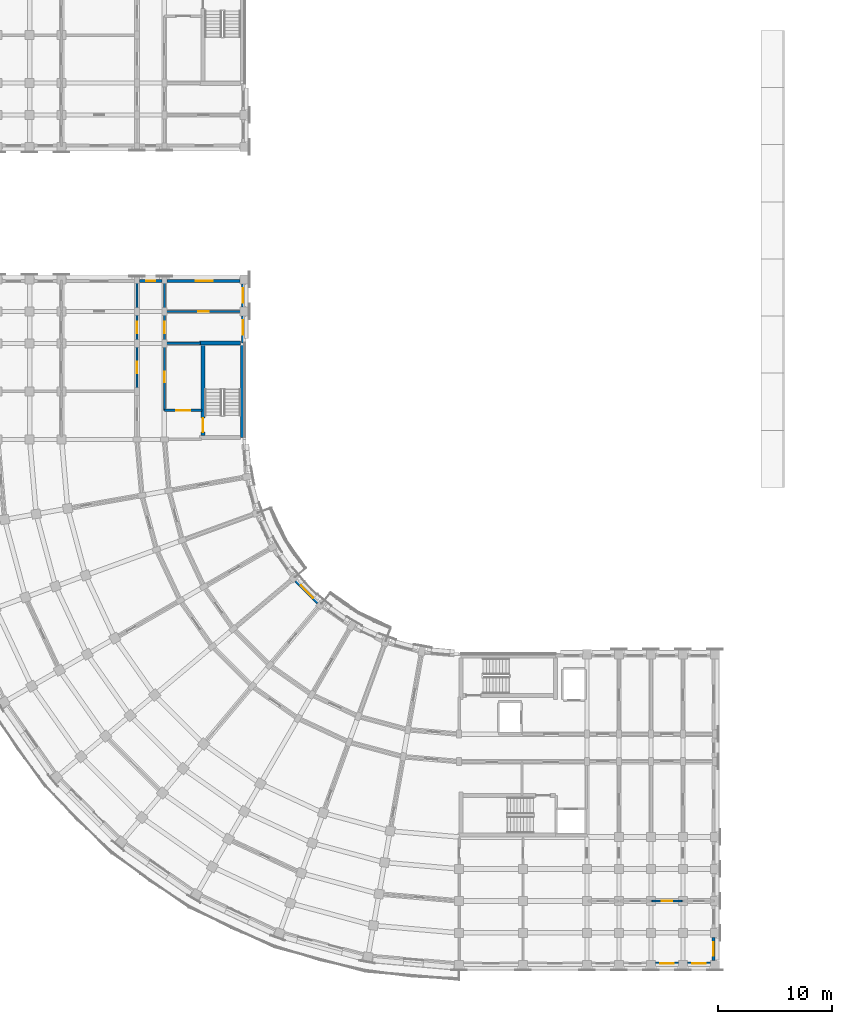
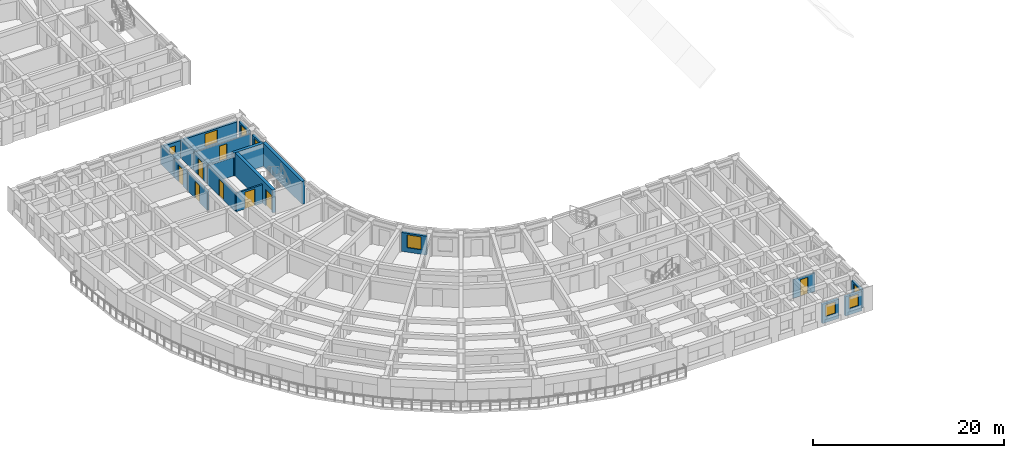
# One storey, part 20 of 54: 21 walls, 8 doors, 8 windows, 16 openings.
"""IFC4 building model written with IfcOpenShell, lengths in metres."""

from ifc_helpers import new_model, si_unit, direction, frame, frame_2d, origin, place, context, subcontext, project, spatial, rectangle, extrude, material, layer, layer_set, type_object, element, fill, save


model = new_model("IFC4")

# Units and contexts
model_context = context("Model", 3, precision=1e-05, world=origin(), true_north=direction((0.0, 1.0)))
body_context = subcontext(model_context, "Body", "Model", "MODEL_VIEW")
ifc_project = project(units=[si_unit("LENGTHUNIT", "METRE"), si_unit("AREAUNIT", "SQUARE_METRE"), si_unit("VOLUMEUNIT", "CUBIC_METRE"), si_unit("PLANEANGLEUNIT", "RADIAN"), si_unit("MASSUNIT", "GRAM", prefix="KILO")], contexts=[model_context])

# Site, building, storey
site_placement = place(None, origin())
site = spatial("IfcSite", under=ifc_project, at=site_placement, CompositionType="ELEMENT")
building_placement = place(site_placement, origin())
building = spatial("IfcBuilding", under=site, at=building_placement, Name="Kiranvali Square Residences", CompositionType="ELEMENT")
storey_placement = place(building_placement, frame((0.0, 0.0, 11.85009765625)))
storey = spatial("IfcBuildingStorey", under=building, at=storey_placement, Name="L03", CompositionType="ELEMENT", Elevation=11.85009765625)

# Wall, opening, door
ifc_material_1 = material(Name="Autoclaved aerated concrete blockwork masonry", Category="masonry")
ifc_layer_1 = layer(ifc_material_1, 0.199951171875)
ifc_layer_set_1 = layer_set([ifc_layer_1], Name="Autoclaved aerated concrete blockwork masonry")
wall_type_1 = type_object("IfcWallType", Name="WL-COR-200", PredefinedType="STANDARD", material=ifc_layer_set_1)
wall_1_placement = place(storey_placement, frame((25.699951171875, 50.75, 0.0), z_axis=(0.0, 0.0, 1.0), x_axis=(-1.0, 0.0, 0.0)))
wall_1 = element("IfcWall", 1, at=wall_1_placement, inside=storey, type_object=wall_type_1, Name="L03 architectural wall WL-L03-C-S3-V", PredefinedType="STANDARD", context=body_context, shape_type="SweptSolid", body=[
    extrude(rectangle(XDim=3.300048828125, YDim=0.199951171875, at=frame_2d((1.64990234375, 0.0))), origin(), (0.0, 0.0, 1.0), 2.371826171875),
])
opening_1_placement = place(wall_1_placement, frame((1.0400390625, 0.0, 0.0)))
opening_1 = element("IfcOpeningElement", 2, at=opening_1_placement, cuts=wall_1, Name="Opening FD-COR-60", PredefinedType="OPENING", context=body_context, shape_type="SweptSolid", body=[
    extrude(rectangle(XDim=1.219970703125, YDim=2.14990234375, at=frame_2d((0.60986328125, 1.074951171875))), frame((0.0, 0.10986328125, 0.0), z_axis=(0.0, -1.0, 0.0), x_axis=(1.0, 0.0, 0.0)), (0.0, 0.0, 1.0), 0.219970703125),
])
ifc_material_2 = material(Name="Fire-rated acoustic hardwood and mineral-core door assembly", Category="wood")
door_type_1 = type_object("IfcDoorType", Name="DR-FD60-1200", OperationType="NOTDEFINED", PredefinedType="DOOR", material=ifc_material_2)
door_1_placement = place(opening_1_placement, frame((1.219970703125, 0.0, 0.0), z_axis=(0.0, 0.0, 1.0), x_axis=(-1.0, 0.0, 0.0)))
door_1 = element("IfcDoor", 3, at=door_1_placement, inside=storey, type_object=door_type_1, Name="L03 door DR-L03-1914 (DR-FD60-1200)", OperationType="SINGLE_SWING_RIGHT", OverallHeight=2.14990234375, OverallWidth=1.219970703125, PredefinedType="DOOR", context=body_context, shape_type="SweptSolid", body=[
    extrude(rectangle(XDim=1.219970703125, YDim=2.14990234375, at=frame_2d((0.60986328125, 1.074951171875))), frame((0.0, 0.02490234375, 0.0), z_axis=(0.0, -1.0, 0.0), x_axis=(1.0, 0.0, 0.0)), (0.0, 0.0, 1.0), 0.050048828125),
])
fill(opening_1, door_1)

wall_2_placement = place(storey_placement, frame((22.39990234375, 50.75, 0.0), z_axis=(0.0, 0.0, 1.0), x_axis=(0.0, 1.0, 0.0)))
wall_2 = element("IfcWall", 4, at=wall_2_placement, inside=storey, type_object=wall_type_1, Name="L03 architectural wall WL-L03-C-S3-COR", PredefinedType="STANDARD", context=body_context, shape_type="SweptSolid", body=[
    extrude(rectangle(XDim=5.800048828125, YDim=0.199951171875, at=frame_2d((2.89990234375, 0.0))), origin(), (0.0, 0.0, 1.0), 2.371826171875),
])
opening_2_placement = place(wall_2_placement, frame((2.43994140625, 0.0, 0.0)))
opening_2 = element("IfcOpeningElement", 5, at=opening_2_placement, cuts=wall_2, Name="Opening FD-SVC-120", PredefinedType="OPENING", context=body_context, shape_type="SweptSolid", body=[
    extrude(rectangle(XDim=0.919921875, YDim=2.10009765625, at=frame_2d((0.4599609375, 1.050048828125))), frame((0.0, 0.10986328125, 0.0), z_axis=(0.0, -1.0, 0.0), x_axis=(1.0, 0.0, 0.0)), (0.0, 0.0, 1.0), 0.219970703125),
])
door_type_2 = type_object("IfcDoorType", Name="DR-SVC-900", OperationType="NOTDEFINED", PredefinedType="DOOR", material=ifc_material_2)
door_2_placement = place(opening_2_placement, origin())
door_2 = element("IfcDoor", 6, at=door_2_placement, inside=storey, type_object=door_type_2, Name="L03 door DR-L03-1915 (DR-SVC-900)", OperationType="SINGLE_SWING_LEFT", OverallHeight=2.10009765625, OverallWidth=0.919921875, PredefinedType="DOOR", context=body_context, shape_type="SweptSolid", body=[
    extrude(rectangle(XDim=0.919921875, YDim=2.10009765625, at=frame_2d((0.4599609375, 1.050048828125))), frame((0.0, 0.02490234375, 0.0), z_axis=(0.0, -1.0, 0.0), x_axis=(1.0, 0.0, 0.0)), (0.0, 0.0, 1.0), 0.050048828125),
])
fill(opening_2, door_2)

wall_3_placement = place(storey_placement, frame((20.0, 52.39990234375, 0.0), z_axis=(0.0, 0.0, 1.0), x_axis=(0.0, 1.0, 0.0)))
wall_3 = element("IfcWall", 7, at=wall_3_placement, inside=storey, type_object=wall_type_1, Name="L03 architectural wall WL-L03-C-A2CF-C1", PredefinedType="STANDARD", context=body_context, shape_type="SweptSolid", body=[
    extrude(rectangle(XDim=4.2001953125, YDim=0.199951171875, at=frame_2d((2.10009765625, 0.0))), origin(), (0.0, 0.0, 1.0), 2.371826171875),
])
opening_3_placement = place(wall_3_placement, frame((1.60009765625, 0.0, 0.0)))
opening_3 = element("IfcOpeningElement", 8, at=opening_3_placement, cuts=wall_3, Name="Opening FD-APT-60", PredefinedType="OPENING", context=body_context, shape_type="SweptSolid", body=[
    extrude(rectangle(XDim=1.0, YDim=2.14990234375, at=frame_2d((0.5, 1.074951171875))), frame((0.0, 0.10986328125, 0.0), z_axis=(0.0, -1.0, 0.0), x_axis=(1.0, 0.0, 0.0)), (0.0, 0.0, 1.0), 0.219970703125),
])
door_type_3 = type_object("IfcDoorType", Name="DR-APT-1000", OperationType="NOTDEFINED", PredefinedType="DOOR", material=ifc_material_2)
door_3_placement = place(opening_3_placement, frame((1.0, 0.0, 0.0), z_axis=(0.0, 0.0, 1.0), x_axis=(-1.0, 0.0, 0.0)))
door_3 = element("IfcDoor", 9, at=door_3_placement, inside=storey, type_object=door_type_3, Name="L03 door DR-L03-1958 (DR-APT-1000)", OperationType="SINGLE_SWING_RIGHT", OverallHeight=2.14990234375, OverallWidth=1.0, PredefinedType="DOOR", context=body_context, shape_type="SweptSolid", body=[
    extrude(rectangle(XDim=1.0, YDim=2.14990234375, at=frame_2d((0.5, 1.074951171875))), frame((0.0, 0.02490234375, 0.0), z_axis=(0.0, -1.0, 0.0), x_axis=(1.0, 0.0, 0.0)), (0.0, 0.0, 1.0), 0.050048828125),
])
fill(opening_3, door_3)

wall_4_placement = place(storey_placement, frame((22.39990234375, 56.60009765625, 0.0), z_axis=(0.0, 0.0, 1.0), x_axis=(0.0, 1.0, 0.0)))
wall_4 = element("IfcWall", 10, at=wall_4_placement, inside=storey, type_object=wall_type_1, Name="L03 architectural wall WL-L03-C-A2CI-0", PredefinedType="STANDARD", context=body_context, shape_type="SweptSolid", body=[
    extrude(rectangle(XDim=2.7998046875, YDim=0.199951171875, at=frame_2d((1.39990234375, 0.0))), origin(), (0.0, 0.0, 1.0), 2.371826171875),
])
opening_4_placement = place(wall_4_placement, frame((0.89990234375, 0.0, 0.0)))
opening_4 = element("IfcOpeningElement", 11, at=opening_4_placement, cuts=wall_4, Name="Opening FD-APT-60", PredefinedType="OPENING", context=body_context, shape_type="SweptSolid", body=[
    extrude(rectangle(XDim=1.0, YDim=2.14990234375, at=frame_2d((0.5, 1.074951171875))), frame((0.0, 0.10986328125, 0.0), z_axis=(0.0, -1.0, 0.0), x_axis=(1.0, 0.0, 0.0)), (0.0, 0.0, 1.0), 0.219970703125),
])
door_4_placement = place(opening_4_placement, frame((1.0, 0.0, 0.0), z_axis=(0.0, 0.0, 1.0), x_axis=(-1.0, 0.0, 0.0)))
door_4 = element("IfcDoor", 12, at=door_4_placement, inside=storey, type_object=door_type_3, Name="L03 door DR-L03-1960 (DR-APT-1000)", OperationType="SINGLE_SWING_RIGHT", OverallHeight=2.14990234375, OverallWidth=1.0, PredefinedType="DOOR", context=body_context, shape_type="SweptSolid", body=[
    extrude(rectangle(XDim=1.0, YDim=2.14990234375, at=frame_2d((0.5, 1.074951171875))), frame((0.0, 0.02490234375, 0.0), z_axis=(0.0, -1.0, 0.0), x_axis=(1.0, 0.0, 0.0)), (0.0, 0.0, 1.0), 0.050048828125),
])
fill(opening_4, door_4)

wall_5_placement = place(storey_placement, frame((20.0, 56.60009765625, 0.0), z_axis=(0.0, 0.0, 1.0), x_axis=(0.0, 1.0, 0.0)))
wall_5 = element("IfcWall", 13, at=wall_5_placement, inside=storey, type_object=wall_type_1, Name="L03 architectural wall WL-L03-C-A2CO-0", PredefinedType="STANDARD", context=body_context, shape_type="SweptSolid", body=[
    extrude(rectangle(XDim=2.7998046875, YDim=0.199951171875, at=frame_2d((1.39990234375, 0.0))), origin(), (0.0, 0.0, 1.0), 2.371826171875),
])
opening_5_placement = place(wall_5_placement, frame((0.89990234375, 0.0, 0.0)))
opening_5 = element("IfcOpeningElement", 14, at=opening_5_placement, cuts=wall_5, Name="Opening FD-APT-60", PredefinedType="OPENING", context=body_context, shape_type="SweptSolid", body=[
    extrude(rectangle(XDim=1.0, YDim=2.14990234375, at=frame_2d((0.5, 1.074951171875))), frame((0.0, 0.10986328125, 0.0), z_axis=(0.0, -1.0, 0.0), x_axis=(1.0, 0.0, 0.0)), (0.0, 0.0, 1.0), 0.219970703125),
])
door_5_placement = place(opening_5_placement, frame((1.0, 0.0, 0.0), z_axis=(0.0, 0.0, 1.0), x_axis=(-1.0, 0.0, 0.0)))
door_5 = element("IfcDoor", 15, at=door_5_placement, inside=storey, type_object=door_type_3, Name="L03 door DR-L03-1962 (DR-APT-1000)", OperationType="SINGLE_SWING_RIGHT", OverallHeight=2.14990234375, OverallWidth=1.0, PredefinedType="DOOR", context=body_context, shape_type="SweptSolid", body=[
    extrude(rectangle(XDim=1.0, YDim=2.14990234375, at=frame_2d((0.5, 1.074951171875))), frame((0.0, 0.02490234375, 0.0), z_axis=(0.0, -1.0, 0.0), x_axis=(1.0, 0.0, 0.0)), (0.0, 0.0, 1.0), 0.050048828125),
])
fill(opening_5, door_5)

# Walls
for number, where, z_axis, x_axis, name in (
    (16, (22.39990234375, 59.39990234375, 0.0), (0.0, 0.0, 1.0), (0.0, 1.0, 0.0), "L03 architectural wall WL-L03-C-A2CI-1"),
    (17, (20.0, 59.39990234375, 0.0), (0.0, 0.0, 1.0), (0.0, 1.0, 0.0), "L03 architectural wall WL-L03-C-A2CO-1"),
):
    element("IfcWall", number, at=place(storey_placement, frame(where, z_axis=z_axis, x_axis=x_axis)), inside=storey, type_object=wall_type_1, Name=name, PredefinedType="STANDARD", context=body_context, shape_type="SweptSolid", body=[
        extrude(rectangle(XDim=2.800048828125, YDim=0.199951171875, at=frame_2d((1.39990234375, 0.0))), origin(), (0.0, 0.0, 1.0), 2.371826171875),
    ])
ifc_layer_2 = layer(ifc_material_1, 0.219970703125)
ifc_layer_set_2 = layer_set([ifc_layer_2], Name="Autoclaved aerated concrete blockwork masonry")
wall_type_2 = type_object("IfcWallType", Name="WL-DEM-220", PredefinedType="STANDARD", material=ifc_layer_set_2)
wall_6_placement = place(storey_placement, frame((25.550048828125, 56.60009765625, 0.0), z_axis=(0.0, 0.0, 1.0), x_axis=(-1.0, 0.0, 0.0)))
element("IfcWall", 18, at=wall_6_placement, inside=storey, type_object=wall_type_2, Name="L03 architectural wall WL-L03-C-A2TI-0", PredefinedType="STANDARD", context=body_context, shape_type="SweptSolid", body=[
    extrude(rectangle(XDim=3.10009765625, YDim=0.219970703125, at=frame_2d((1.550048828125, 0.0))), origin(), (0.0, 0.0, 1.0), 2.371826171875),
])

# Wall, opening, window
ifc_material_3 = material(Name="Breathable lime-rendered clay brick masonry", Category="masonry")
ifc_layer_3 = layer(ifc_material_3, 0.27490234375)
ifc_layer_set_3 = layer_set([ifc_layer_3], Name="Breathable lime-rendered clay brick masonry")
wall_type_3 = type_object("IfcWallType", Name="WL-EXT-275", PredefinedType="STANDARD", material=ifc_layer_set_3)
wall_7_placement = place(storey_placement, frame((35.829345703125, 33.90771484375, 0.0), z_axis=(0.0, 0.0, 1.0), x_axis=(-0.707106781187, 0.707106781187, 0.0)))
wall_7 = element("IfcWall", 19, at=wall_7_placement, inside=storey, type_object=wall_type_3, Name="L03 exterior wall C-L03-GDN-04", PredefinedType="STANDARD", context=body_context, shape_type="SweptSolid", body=[
    extrude(rectangle(XDim=2.717529296875, YDim=0.27490234375, at=frame_2d((1.35888671875, 0.0))), origin(), (0.0, 0.0, 1.0), 2.421875),
])
opening_6_placement = place(wall_7_placement, frame((0.608642578125, 0.0, 0.572021484375)))
opening_6 = element("IfcOpeningElement", 20, at=opening_6_placement, cuts=wall_7, Name="Opening W-05", PredefinedType="OPENING", context=body_context, shape_type="SweptSolid", body=[
    extrude(rectangle(XDim=1.5, YDim=1.64990234375, at=frame_2d((0.75, 0.824951171875))), frame((0.0, 0.1474609375, 0.0), z_axis=(0.0, -1.0, 0.0), x_axis=(1.0, 0.0, 0.0)), (0.0, 0.0, 1.0), 0.294921875),
])
ifc_material_4 = material(Name="Solar-control low-e double glazing", Category="glass")
window_type_1 = type_object("IfcWindowType", Name="WIN-RES-1500x1650", PartitioningType="DOUBLE_PANEL_VERTICAL", PredefinedType="WINDOW", material=ifc_material_4)
window_1_placement = place(opening_6_placement, origin())
window_1 = element("IfcWindow", 21, at=window_1_placement, inside=storey, type_object=window_type_1, Name="L03 recessed window C-L03-GDN-04", OverallHeight=1.64990234375, OverallWidth=1.5, PartitioningType="DOUBLE_PANEL_VERTICAL", PredefinedType="WINDOW", context=body_context, shape_type="SweptSolid", body=[
    extrude(rectangle(XDim=1.5, YDim=1.64990234375, at=frame_2d((0.75, 0.824951171875))), frame((0.0, 0.030029296875, 0.0), z_axis=(0.0, -1.0, 0.0), x_axis=(1.0, 0.0, 0.0)), (0.0, 0.0, 1.0), 0.06005859375),
])
fill(opening_6, window_1)

wall_8_placement = place(storey_placement, frame((65.403564453125, 2.324951171875, 0.0), z_axis=(0.0, 0.0, 1.0), x_axis=(1.0, 0.0, 0.0)))
wall_8 = element("IfcWall", 22, at=wall_8_placement, inside=storey, type_object=wall_type_3, Name="L03 exterior wall C-L03-A1O-4", PredefinedType="STANDARD", context=body_context, shape_type="SweptSolid", body=[
    extrude(rectangle(XDim=1.992919921875, YDim=0.27490234375, at=frame_2d((0.99658203125, 0.0))), origin(), (0.0, 0.0, 1.0), 2.471923828125),
])
opening_7_placement = place(wall_8_placement, frame((0.396484375, 0.0, 0.77197265625)))
opening_7 = element("IfcOpeningElement", 23, at=opening_7_placement, cuts=wall_8, Name="Opening W-06", PredefinedType="OPENING", context=body_context, shape_type="SweptSolid", body=[
    extrude(rectangle(XDim=1.199951171875, YDim=1.5, at=frame_2d((0.60009765625, 0.75))), frame((0.0, 0.1474609375, 0.0), z_axis=(0.0, -1.0, 0.0), x_axis=(1.0, 0.0, 0.0)), (0.0, 0.0, 1.0), 0.294921875),
])
window_type_2 = type_object("IfcWindowType", Name="WIN-RES-1200x1500", PartitioningType="SINGLE_PANEL", PredefinedType="WINDOW", material=ifc_material_4)
window_2_placement = place(opening_7_placement, origin())
window_2 = element("IfcWindow", 24, at=window_2_placement, inside=storey, type_object=window_type_2, Name="L03 recessed window C-L03-A1O-4", OverallHeight=1.5, OverallWidth=1.199951171875, PartitioningType="SINGLE_PANEL", PredefinedType="WINDOW", context=body_context, shape_type="SweptSolid", body=[
    extrude(rectangle(XDim=1.199951171875, YDim=1.5, at=frame_2d((0.60009765625, 0.75))), frame((0.0, 0.030029296875, 0.0), z_axis=(0.0, -1.0, 0.0), x_axis=(1.0, 0.0, 0.0)), (0.0, 0.0, 1.0), 0.06005859375),
])
fill(opening_7, window_2)

wall_9_placement = place(storey_placement, frame((68.20361328125, 2.324951171875, 0.0), z_axis=(0.0, 0.0, 1.0), x_axis=(1.0, 0.0, 0.0)))
wall_9 = element("IfcWall", 25, at=wall_9_placement, inside=storey, type_object=wall_type_3, Name="L03 exterior wall C-L03-A1O-5", PredefinedType="STANDARD", context=body_context, shape_type="SweptSolid", body=[
    extrude(rectangle(XDim=1.992919921875, YDim=0.27490234375, at=frame_2d((0.99658203125, 0.0))), origin(), (0.0, 0.0, 1.0), 2.471923828125),
])
opening_8_placement = place(wall_9_placement, frame((0.396484375, 0.0, 0.77197265625)))
opening_8 = element("IfcOpeningElement", 26, at=opening_8_placement, cuts=wall_9, Name="Opening W-06", PredefinedType="OPENING", context=body_context, shape_type="SweptSolid", body=[
    extrude(rectangle(XDim=1.199951171875, YDim=1.5, at=frame_2d((0.60009765625, 0.75))), frame((0.0, 0.1474609375, 0.0), z_axis=(0.0, -1.0, 0.0), x_axis=(1.0, 0.0, 0.0)), (0.0, 0.0, 1.0), 0.294921875),
])
window_3_placement = place(opening_8_placement, origin())
window_3 = element("IfcWindow", 27, at=window_3_placement, inside=storey, type_object=window_type_2, Name="L03 recessed window C-L03-A1O-5", OverallHeight=1.5, OverallWidth=1.199951171875, PartitioningType="SINGLE_PANEL", PredefinedType="WINDOW", context=body_context, shape_type="SweptSolid", body=[
    extrude(rectangle(XDim=1.199951171875, YDim=1.5, at=frame_2d((0.60009765625, 0.75))), frame((0.0, 0.030029296875, 0.0), z_axis=(0.0, -1.0, 0.0), x_axis=(1.0, 0.0, 0.0)), (0.0, 0.0, 1.0), 0.06005859375),
])
fill(opening_8, window_3)

wall_10_placement = place(storey_placement, frame((70.47509765625, 4.596435546875, 0.0), z_axis=(0.0, 0.0, 1.0), x_axis=(0.0, -1.0, 0.0)))
wall_10 = element("IfcWall", 28, at=wall_10_placement, inside=storey, type_object=wall_type_3, Name="L03 exterior wall C-L03-A1END-6", PredefinedType="STANDARD", context=body_context, shape_type="SweptSolid", body=[
    extrude(rectangle(XDim=1.992919921875, YDim=0.27490234375, at=frame_2d((0.99658203125, 0.0))), origin(), (0.0, 0.0, 1.0), 2.371826171875),
])
opening_9_placement = place(wall_10_placement, frame((0.396484375, 0.0, 0.672119140625)))
opening_9 = element("IfcOpeningElement", 29, at=opening_9_placement, cuts=wall_10, Name="Opening W-06", PredefinedType="OPENING", context=body_context, shape_type="SweptSolid", body=[
    extrude(rectangle(XDim=1.199951171875, YDim=1.5, at=frame_2d((0.60009765625, 0.75))), frame((0.0, 0.1474609375, 0.0), z_axis=(0.0, -1.0, 0.0), x_axis=(1.0, 0.0, 0.0)), (0.0, 0.0, 1.0), 0.294921875),
])
window_4_placement = place(opening_9_placement, origin())
window_4 = element("IfcWindow", 30, at=window_4_placement, inside=storey, type_object=window_type_2, Name="L03 recessed window C-L03-A1END-6", OverallHeight=1.5, OverallWidth=1.199951171875, PartitioningType="SINGLE_PANEL", PredefinedType="WINDOW", context=body_context, shape_type="SweptSolid", body=[
    extrude(rectangle(XDim=1.199951171875, YDim=1.5, at=frame_2d((0.60009765625, 0.75))), frame((0.0, 0.030029296875, 0.0), z_axis=(0.0, -1.0, 0.0), x_axis=(1.0, 0.0, 0.0)), (0.0, 0.0, 1.0), 0.06005859375),
])
fill(opening_9, window_4)

wall_11_placement = place(storey_placement, frame((29.27490234375, 56.62841796875, 0.0), z_axis=(0.0, 0.0, 1.0), x_axis=(0.0, 1.0, 0.0)))
wall_11 = element("IfcWall", 31, at=wall_11_placement, inside=storey, type_object=wall_type_3, Name="L03 exterior wall C-L03-A2I-0", PredefinedType="STANDARD", context=body_context, shape_type="SweptSolid", body=[
    extrude(rectangle(XDim=2.3681640625, YDim=0.27490234375, at=frame_2d((1.18408203125, 0.0))), origin(), (0.0, 0.0, 1.0), 2.471923828125),
])
opening_10_placement = place(wall_11_placement, frame((0.74658203125, 0.0, 0.721923828125)))
opening_10 = element("IfcOpeningElement", 32, at=opening_10_placement, cuts=wall_11, Name="Opening W-19", PredefinedType="OPENING", context=body_context, shape_type="SweptSolid", body=[
    extrude(rectangle(XDim=1.25, YDim=1.550048828125, at=frame_2d((0.625, 0.77490234375))), frame((0.0, 0.1474609375, 0.0), z_axis=(0.0, -1.0, 0.0), x_axis=(1.0, 0.0, 0.0)), (0.0, 0.0, 1.0), 0.294921875),
])
window_type_3 = type_object("IfcWindowType", Name="WIN-GDN-1250x1550", PartitioningType="SINGLE_PANEL", PredefinedType="WINDOW", material=ifc_material_4)
window_5_placement = place(opening_10_placement, origin())
window_5 = element("IfcWindow", 33, at=window_5_placement, inside=storey, type_object=window_type_3, Name="L03 recessed window C-L03-A2I-0", OverallHeight=1.550048828125, OverallWidth=1.25, PartitioningType="SINGLE_PANEL", PredefinedType="WINDOW", context=body_context, shape_type="SweptSolid", body=[
    extrude(rectangle(XDim=1.25, YDim=1.550048828125, at=frame_2d((0.625, 0.77490234375))), frame((0.0, 0.030029296875, 0.0), z_axis=(0.0, -1.0, 0.0), x_axis=(1.0, 0.0, 0.0)), (0.0, 0.0, 1.0), 0.06005859375),
])
fill(opening_10, window_5)

wall_12_placement = place(storey_placement, frame((29.27490234375, 59.803466796875, 0.0), z_axis=(0.0, 0.0, 1.0), x_axis=(0.0, 1.0, 0.0)))
wall_12 = element("IfcWall", 34, at=wall_12_placement, inside=storey, type_object=wall_type_3, Name="L03 exterior wall C-L03-A2I-1", PredefinedType="STANDARD", context=body_context, shape_type="SweptSolid", body=[
    extrude(rectangle(XDim=1.992919921875, YDim=0.27490234375, at=frame_2d((0.99658203125, 0.0))), origin(), (0.0, 0.0, 1.0), 2.471923828125),
])
opening_11_placement = place(wall_12_placement, frame((0.37158203125, 0.0, 0.721923828125)))
opening_11 = element("IfcOpeningElement", 35, at=opening_11_placement, cuts=wall_12, Name="Opening W-19", PredefinedType="OPENING", context=body_context, shape_type="SweptSolid", body=[
    extrude(rectangle(XDim=1.25, YDim=1.550048828125, at=frame_2d((0.625, 0.77490234375))), frame((0.0, 0.1474609375, 0.0), z_axis=(0.0, -1.0, 0.0), x_axis=(1.0, 0.0, 0.0)), (0.0, 0.0, 1.0), 0.294921875),
])
window_6_placement = place(opening_11_placement, origin())
window_6 = element("IfcWindow", 36, at=window_6_placement, inside=storey, type_object=window_type_3, Name="L03 recessed window C-L03-A2I-1", OverallHeight=1.550048828125, OverallWidth=1.25, PartitioningType="SINGLE_PANEL", PredefinedType="WINDOW", context=body_context, shape_type="SweptSolid", body=[
    extrude(rectangle(XDim=1.25, YDim=1.550048828125, at=frame_2d((0.625, 0.77490234375))), frame((0.0, 0.030029296875, 0.0), z_axis=(0.0, -1.0, 0.0), x_axis=(1.0, 0.0, 0.0)), (0.0, 0.0, 1.0), 0.06005859375),
])
fill(opening_11, window_6)

wall_13_placement = place(storey_placement, frame((28.99658203125, 62.074951171875, 0.0), z_axis=(0.0, 0.0, 1.0), x_axis=(-1.0, 0.0, 0.0)))
wall_13 = element("IfcWall", 37, at=wall_13_placement, inside=storey, type_object=wall_type_3, Name="L03 exterior wall C-L03-A2END-0", PredefinedType="STANDARD", context=body_context, shape_type="SweptSolid", body=[
    extrude(rectangle(XDim=6.3681640625, YDim=0.27490234375, at=frame_2d((3.18408203125, 0.0))), origin(), (0.0, 0.0, 1.0), 2.371826171875),
])
opening_12_placement = place(wall_13_placement, frame((2.346435546875, 0.0, 0.52197265625)))
opening_12 = element("IfcOpeningElement", 38, at=opening_12_placement, cuts=wall_13, Name="Opening W-05", PredefinedType="OPENING", context=body_context, shape_type="SweptSolid", body=[
    extrude(rectangle(XDim=1.5, YDim=1.64990234375, at=frame_2d((0.75, 0.824951171875))), frame((0.0, 0.1474609375, 0.0), z_axis=(0.0, -1.0, 0.0), x_axis=(1.0, 0.0, 0.0)), (0.0, 0.0, 1.0), 0.294921875),
])
window_7_placement = place(opening_12_placement, origin())
window_7 = element("IfcWindow", 39, at=window_7_placement, inside=storey, type_object=window_type_1, Name="L03 recessed window C-L03-A2END-0", OverallHeight=1.64990234375, OverallWidth=1.5, PartitioningType="DOUBLE_PANEL_VERTICAL", PredefinedType="WINDOW", context=body_context, shape_type="SweptSolid", body=[
    extrude(rectangle(XDim=1.5, YDim=1.64990234375, at=frame_2d((0.75, 0.824951171875))), frame((0.0, 0.030029296875, 0.0), z_axis=(0.0, -1.0, 0.0), x_axis=(1.0, 0.0, 0.0)), (0.0, 0.0, 1.0), 0.06005859375),
])
fill(opening_12, window_7)

wall_14_placement = place(storey_placement, frame((22.17138671875, 62.074951171875, 0.0), z_axis=(0.0, 0.0, 1.0), x_axis=(-1.0, 0.0, 0.0)))
wall_14 = element("IfcWall", 40, at=wall_14_placement, inside=storey, type_object=wall_type_3, Name="L03 exterior wall C-L03-A2END-1", PredefinedType="STANDARD", context=body_context, shape_type="SweptSolid", body=[
    extrude(rectangle(XDim=1.94287109375, YDim=0.27490234375, at=frame_2d((0.971435546875, 0.0))), origin(), (0.0, 0.0, 1.0), 2.371826171875),
])
opening_13_placement = place(wall_14_placement, frame((0.596435546875, 0.0, 0.8798828125)))
opening_13 = element("IfcOpeningElement", 41, at=opening_13_placement, cuts=wall_14, Name="Opening W-07", PredefinedType="OPENING", context=body_context, shape_type="SweptSolid", body=[
    extrude(rectangle(XDim=0.75, YDim=1.050048828125, at=frame_2d((0.375, 0.52490234375))), frame((0.0, 0.1474609375, 0.0), z_axis=(0.0, -1.0, 0.0), x_axis=(1.0, 0.0, 0.0)), (0.0, 0.0, 1.0), 0.294921875),
])
window_type_4 = type_object("IfcWindowType", Name="WIN-WET-750x1050", PartitioningType="SINGLE_PANEL", PredefinedType="WINDOW", material=ifc_material_4)
window_8_placement = place(opening_13_placement, origin())
window_8 = element("IfcWindow", 42, at=window_8_placement, inside=storey, type_object=window_type_4, Name="L03 recessed window C-L03-A2END-1", OverallHeight=1.050048828125, OverallWidth=0.75, PartitioningType="SINGLE_PANEL", PredefinedType="WINDOW", context=body_context, shape_type="SweptSolid", body=[
    extrude(rectangle(XDim=0.75, YDim=1.050048828125, at=frame_2d((0.375, 0.52490234375))), frame((0.0, 0.030029296875, 0.0), z_axis=(0.0, -1.0, 0.0), x_axis=(1.0, 0.0, 0.0)), (0.0, 0.0, 1.0), 0.06005859375),
])
fill(opening_13, window_8)

# Wall, opening, door
ifc_material_5 = material(Name="Acoustic gypsum board drylined partition", Category="gypsum")
ifc_layer_4 = layer(ifc_material_5, 0.14990234375)
ifc_layer_set_4 = layer_set([ifc_layer_4], Name="Acoustic gypsum board drylined partition")
wall_type_4 = type_object("IfcWallType", Name="WL-PRT-150", PredefinedType="PARTITIONING", material=ifc_layer_set_4)
wall_15_placement = place(storey_placement, frame((29.199951171875, 59.39990234375, 0.0), z_axis=(0.0, 0.0, 1.0), x_axis=(-1.0, 0.0, 0.0)))
wall_15 = element("IfcWall", 43, at=wall_15_placement, inside=storey, type_object=wall_type_4, Name="L03 architectural wall WL-L03-C-A2TI-1", PredefinedType="PARTITIONING", context=body_context, shape_type="SweptSolid", body=[
    extrude(rectangle(XDim=6.75, YDim=0.14990234375, at=frame_2d((3.375, 0.0))), origin(), (0.0, 0.0, 1.0), 2.371826171875),
])
opening_14_placement = place(wall_15_placement, frame((2.925048828125, 0.0, 0.0)))
opening_14 = element("IfcOpeningElement", 44, at=opening_14_placement, cuts=wall_15, Name="Opening ID-1", PredefinedType="OPENING", context=body_context, shape_type="SweptSolid", body=[
    extrude(rectangle(XDim=0.89990234375, YDim=2.10009765625, at=frame_2d((0.449951171875, 1.050048828125))), frame((0.0, 0.0849609375, 0.0), z_axis=(0.0, -1.0, 0.0), x_axis=(1.0, 0.0, 0.0)), (0.0, 0.0, 1.0), 0.169921875),
])
ifc_material_6 = material(Name="Solid seasoned teak hardwood joinery", Category="wood")
door_type_4 = type_object("IfcDoorType", Name="DR-INT-900", OperationType="NOTDEFINED", PredefinedType="DOOR", material=ifc_material_6)
door_6_placement = place(opening_14_placement, frame((0.89990234375, 0.0, 0.0), z_axis=(0.0, 0.0, 1.0), x_axis=(-1.0, 0.0, 0.0)))
door_6 = element("IfcDoor", 45, at=door_6_placement, inside=storey, type_object=door_type_4, Name="L03 door DR-L03-1964 (DR-INT-900)", OperationType="SINGLE_SWING_RIGHT", OverallHeight=2.10009765625, OverallWidth=0.89990234375, PredefinedType="DOOR", context=body_context, shape_type="SweptSolid", body=[
    extrude(rectangle(XDim=0.89990234375, YDim=2.10009765625, at=frame_2d((0.449951171875, 1.050048828125))), frame((0.0, 0.02490234375, 0.0), z_axis=(0.0, -1.0, 0.0), x_axis=(1.0, 0.0, 0.0)), (0.0, 0.0, 1.0), 0.050048828125),
])
fill(opening_14, door_6)

# Wall
ifc_material_7 = material(Name="Concrete M50 (50 MPa)", Category="concrete")
ifc_layer_5 = layer(ifc_material_7, 0.35009765625)
ifc_layer_set_5 = layer_set([ifc_layer_5], Name="Concrete M50 (50 MPa)")
wall_type_5 = type_object("IfcWallType", Name="WL-SHR-350", PredefinedType="SHEAR", material=ifc_layer_set_5)
wall_16_placement = place(storey_placement, frame((29.22509765625, 48.375, 0.0), z_axis=(0.0, 0.0, 1.0), x_axis=(0.0, 1.0, 0.0)))
element("IfcWall", 46, at=wall_16_placement, inside=storey, type_object=wall_type_5, Name="Block C core shear wall SW-C3-OUT-L03", PredefinedType="SHEAR", context=body_context, shape_type="SweptSolid", body=[
    extrude(rectangle(XDim=8.25, YDim=0.35009765625, at=frame_2d((4.125, 0.0))), origin(), (0.0, 0.0, 1.0), 2.929931640625),
])

# Wall, opening, door
wall_17_placement = place(storey_placement, frame((25.77490234375, 48.550048828125, 0.0), z_axis=(0.0, 0.0, 1.0), x_axis=(0.0, 1.0, 0.0)))
wall_17 = element("IfcWall", 47, at=wall_17_placement, inside=storey, type_object=wall_type_5, Name="Block C core shear wall SW-C3-IN-L03", PredefinedType="SHEAR", context=body_context, shape_type="SweptSolid", body=[
    extrude(rectangle(XDim=7.89990234375, YDim=0.35009765625, at=frame_2d((3.949951171875, 0.0))), origin(), (0.0, 0.0, 1.0), 2.929931640625),
])
opening_15_placement = place(wall_17_placement, frame((0.280029296875, 0.0, 0.0)))
opening_15 = element("IfcOpeningElement", 48, at=opening_15_placement, cuts=wall_17, Name="Opening FD-ST-120", PredefinedType="OPENING", context=body_context, shape_type="SweptSolid", body=[
    extrude(rectangle(XDim=1.239990234375, YDim=2.14990234375, at=frame_2d((0.6201171875, 1.074951171875))), frame((0.0, 0.18505859375, 0.0), z_axis=(0.0, -1.0, 0.0), x_axis=(1.0, 0.0, 0.0)), (0.0, 0.0, 1.0), 0.3701171875),
])
door_type_5 = type_object("IfcDoorType", Name="DR-FD120-1200", OperationType="NOTDEFINED", PredefinedType="DOOR", material=ifc_material_2)
door_7_placement = place(opening_15_placement, frame((1.239990234375, 0.0, 0.0), z_axis=(0.0, 0.0, 1.0), x_axis=(-1.0, 0.0, 0.0)))
door_7 = element("IfcDoor", 49, at=door_7_placement, inside=storey, type_object=door_type_5, Name="L03 door DR-L03-1910 (DR-FD120-1200)", OperationType="SINGLE_SWING_RIGHT", OverallHeight=2.14990234375, OverallWidth=1.239990234375, PredefinedType="DOOR", context=body_context, shape_type="SweptSolid", body=[
    extrude(rectangle(XDim=1.239990234375, YDim=2.14990234375, at=frame_2d((0.6201171875, 1.074951171875))), frame((0.0, 0.02490234375, 0.0), z_axis=(0.0, -1.0, 0.0), x_axis=(1.0, 0.0, 0.0)), (0.0, 0.0, 1.0), 0.050048828125),
])
fill(opening_15, door_7)

# Wall
wall_18_placement = place(storey_placement, frame((29.050048828125, 56.625, 0.0), z_axis=(0.0, 0.0, 1.0), x_axis=(-1.0, 0.0, 0.0)))
element("IfcWall", 50, at=wall_18_placement, inside=storey, type_object=wall_type_5, Name="Block C core shear wall SW-C3-FAR-L03", PredefinedType="SHEAR", context=body_context, shape_type="SweptSolid", body=[
    extrude(rectangle(XDim=3.60009765625, YDim=0.35009765625, at=frame_2d((1.800048828125, 0.0))), origin(), (0.0, 0.0, 1.0), 2.929931640625),
])

# Wall, opening, door
ifc_layer_6 = layer(ifc_material_1, 0.159912109375)
ifc_layer_set_6 = layer_set([ifc_layer_6], Name="Autoclaved aerated concrete blockwork masonry")
wall_type_6 = type_object("IfcWallType", Name="WL-WET-160", PredefinedType="PLUMBINGWALL", material=ifc_layer_set_6)
wall_19_placement = place(storey_placement, frame((65.080078125, 7.800048828125, 0.0), z_axis=(0.0, 0.0, 1.0), x_axis=(1.0, 0.0, 0.0)))
wall_19 = element("IfcWall", 51, at=wall_19_placement, inside=storey, type_object=wall_type_6, Name="L03 architectural wall WL-L03-C-A1SP-2", PredefinedType="PLUMBINGWALL", context=body_context, shape_type="SweptSolid", body=[
    extrude(rectangle(XDim=2.639892578125, YDim=0.159912109375, at=frame_2d((1.31982421875, 0.0))), origin(), (0.0, 0.0, 1.0), 2.371826171875),
])
opening_16_placement = place(wall_19_placement, frame((0.8701171875, 0.0, 0.0)))
opening_16 = element("IfcOpeningElement", 52, at=opening_16_placement, cuts=wall_19, Name="Opening ID-1", PredefinedType="OPENING", context=body_context, shape_type="SweptSolid", body=[
    extrude(rectangle(XDim=0.89990234375, YDim=2.10009765625, at=frame_2d((0.449951171875, 1.050048828125))), frame((0.0, 0.08984375, 0.0), z_axis=(0.0, -1.0, 0.0), x_axis=(1.0, 0.0, 0.0)), (0.0, 0.0, 1.0), 0.179931640625),
])
door_8_placement = place(opening_16_placement, frame((0.89990234375, 0.0, 0.0), z_axis=(0.0, 0.0, 1.0), x_axis=(-1.0, 0.0, 0.0)))
door_8 = element("IfcDoor", 53, at=door_8_placement, inside=storey, type_object=door_type_4, Name="L03 door DR-L03-1922 (DR-INT-900)", OperationType="SINGLE_SWING_RIGHT", OverallHeight=2.10009765625, OverallWidth=0.89990234375, PredefinedType="DOOR", context=body_context, shape_type="SweptSolid", body=[
    extrude(rectangle(XDim=0.89990234375, YDim=2.10009765625, at=frame_2d((0.449951171875, 1.050048828125))), frame((0.0, 0.02490234375, 0.0), z_axis=(0.0, -1.0, 0.0), x_axis=(1.0, 0.0, 0.0)), (0.0, 0.0, 1.0), 0.050048828125),
])
fill(opening_16, door_8)

save(model, "model.ifc")
